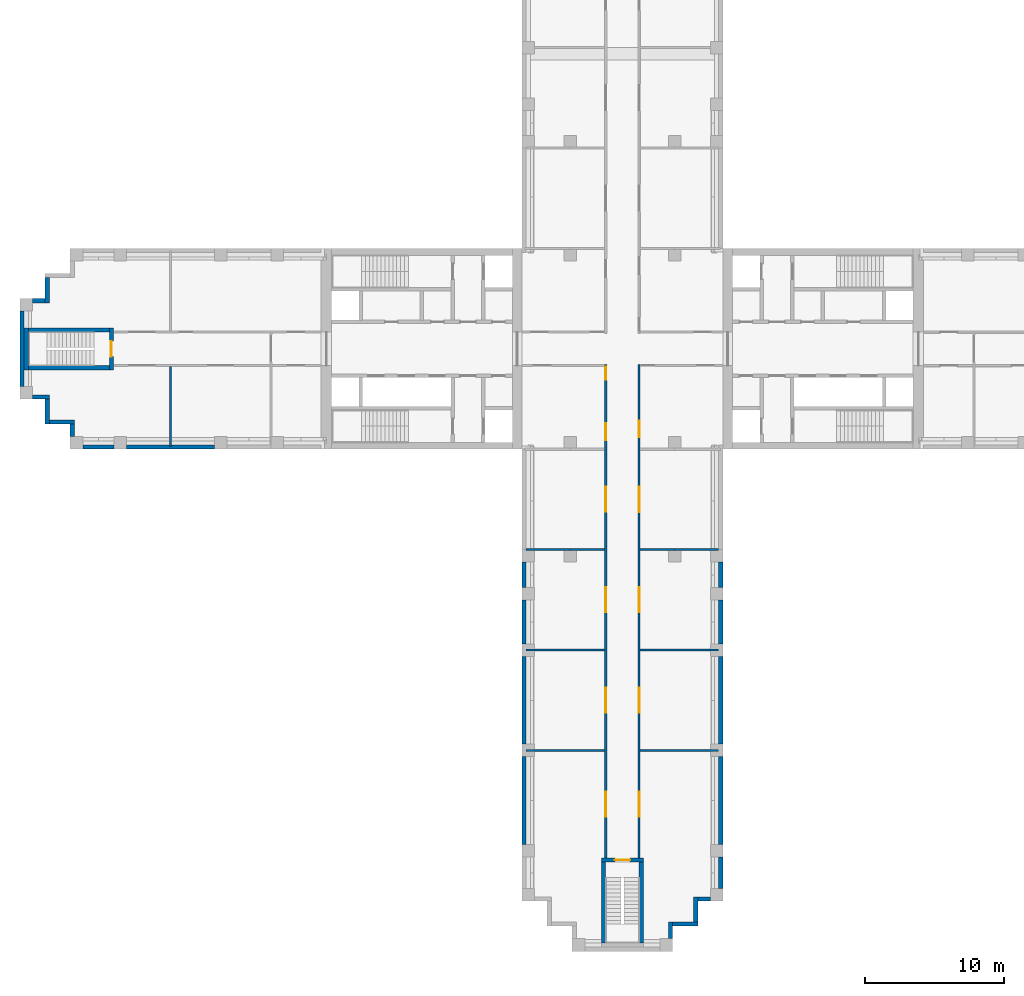
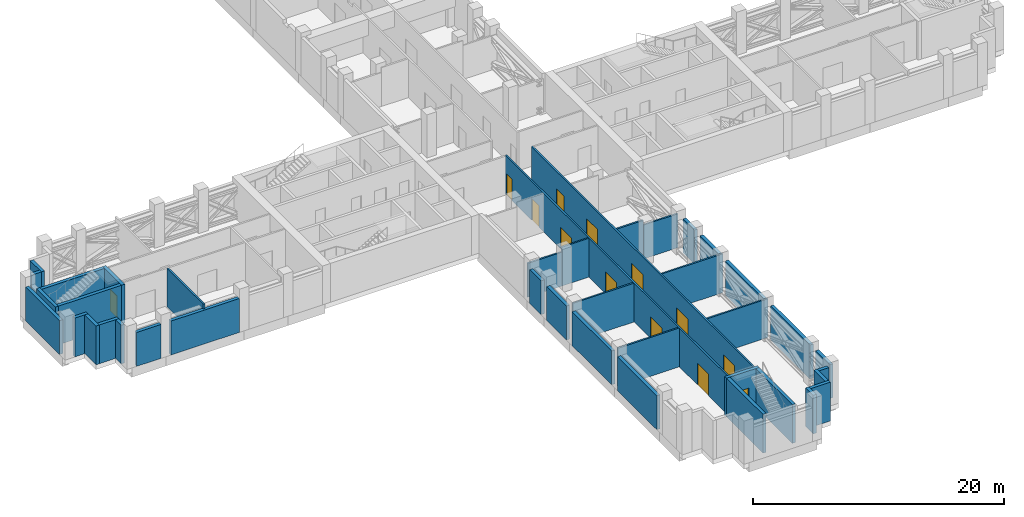
# One storey, part 4 of 10: 40 walls, 13 doors, 13 openings.
"""IFC4 building model written with IfcOpenShell, lengths in metres."""

from ifc_helpers import new_model, si_unit, direction, frame, frame_2d, origin, place, context, subcontext, project, spatial, rectangle, extrude, material, layer, layer_set, type_object, element, fill, save


model = new_model("IFC4")

# Units and contexts
model_context = context("Model", 3, precision=1e-05, world=origin(), true_north=direction((0.0, 1.0)))
body_context = subcontext(model_context, "Body", "Model", "MODEL_VIEW")
ifc_project = project(units=[si_unit("LENGTHUNIT", "METRE"), si_unit("AREAUNIT", "SQUARE_METRE"), si_unit("VOLUMEUNIT", "CUBIC_METRE"), si_unit("PLANEANGLEUNIT", "RADIAN"), si_unit("MASSUNIT", "GRAM", prefix="KILO")], contexts=[model_context])

# Site, building, storey
site_placement = place(None, origin())
site = spatial("IfcSite", under=ifc_project, at=site_placement, CompositionType="ELEMENT")
building_placement = place(site_placement, origin())
building = spatial("IfcBuilding", under=site, at=building_placement, Name="Fustian Cross Tower", CompositionType="ELEMENT")
storey_placement = place(building_placement, frame((0.0, 0.0, 62.699951171875)))
storey = spatial("IfcBuildingStorey", under=building, at=storey_placement, Name="L19", CompositionType="ELEMENT", Elevation=62.699951171875)

# Walls
ifc_material_1 = material(Name="Plasterboard on steel stud", Category="steel")
ifc_layer_1 = layer(ifc_material_1, 0.14990234375)
ifc_layer_set_1 = layer_set([ifc_layer_1], Name="Plasterboard on steel stud")
wall_type_1 = type_object("IfcWallType", Name="COMPARTMENT WALL 150 EI 60", PredefinedType="PARTITIONING", material=ifc_layer_set_1)
wall_1_placement = place(storey_placement, frame((-32.39990234375, -7.02001953125, 0.0), z_axis=(0.0, 0.0, 1.0), x_axis=(0.0, 1.0, 0.0)))
element("IfcWall", 1, at=wall_1_placement, inside=storey, type_object=wall_type_1, Name="Partition 3", PredefinedType="PARTITIONING", context=body_context, shape_type="SweptSolid", body=[
    extrude(rectangle(XDim=5.7451171875, YDim=0.14990234375, at=frame_2d((2.87255859375, 0.0))), origin(), (0.0, 0.0, 1.0), 3.775146484375),
])
for number, where, z_axis, x_axis, name in (
    (2, (-6.89990234375, -28.800048828125, 0.0), (0.0, 0.0, 1.0), (1.0, 0.0, 0.0), "Partition 8"),
    (3, (-6.89990234375, -21.60009765625, 0.0), (0.0, 0.0, 1.0), (1.0, 0.0, 0.0), "Partition 9"),
):
    element("IfcWall", number, at=place(storey_placement, frame(where, z_axis=z_axis, x_axis=x_axis)), inside=storey, type_object=wall_type_1, Name=name, PredefinedType="PARTITIONING", context=body_context, shape_type="SweptSolid", body=[
        extrude(rectangle(XDim=5.625, YDim=0.14990234375, at=frame_2d((2.8125, 0.0))), origin(), (0.0, 0.0, 1.0), 3.775146484375),
    ])
wall_2_placement = place(storey_placement, frame((-6.89990234375, -14.39990234375, 0.0), z_axis=(0.0, 0.0, 1.0), x_axis=(1.0, 0.0, 0.0)))
element("IfcWall", 4, at=wall_2_placement, inside=storey, type_object=wall_type_1, Name="Partition 10", PredefinedType="PARTITIONING", context=body_context, shape_type="SweptSolid", body=[
    extrude(rectangle(XDim=3.14990234375, YDim=0.14990234375, at=frame_2d((1.574951171875, 0.0))), origin(), (0.0, 0.0, 1.0), 3.300048828125),
])

# Wall, openings, doors
wall_3_placement = place(storey_placement, frame((-1.199951171875, -36.5, 0.0), z_axis=(0.0, 0.0, 1.0), x_axis=(0.0, 1.0, 0.0)))
wall_3 = element("IfcWall", 5, at=wall_3_placement, inside=storey, type_object=wall_type_1, Name="Partition 16", PredefinedType="PARTITIONING", context=body_context, shape_type="SweptSolid", body=[
    extrude(rectangle(XDim=35.375, YDim=0.14990234375, at=frame_2d((17.6875, 0.0))), origin(), (0.0, 0.0, 1.0), 3.775146484375),
])
opening_1_placement = place(wall_3_placement, frame((29.949951171875, 0.0, 0.0)))
opening_1 = element("IfcOpeningElement", 6, at=opening_1_placement, cuts=wall_3, Name="Opening D10008", PredefinedType="OPENING", context=body_context, shape_type="SweptSolid", body=[
    extrude(rectangle(XDim=1.199951171875, YDim=2.10009765625, at=frame_2d((0.60009765625, 1.050048828125))), frame((0.0, 0.0849609375, 0.0), z_axis=(0.0, -1.0, 0.0), x_axis=(1.0, 0.0, 0.0)), (0.0, 0.0, 1.0), 0.169921875),
])
opening_2_placement = place(wall_3_placement, frame((34.300048828125, 0.0, 0.0)))
opening_2 = element("IfcOpeningElement", 7, at=opening_2_placement, cuts=wall_3, Name="Opening D10009", PredefinedType="OPENING", context=body_context, shape_type="SweptSolid", body=[
    extrude(rectangle(XDim=0.89990234375, YDim=2.10009765625, at=frame_2d((0.449951171875, 1.050048828125))), frame((0.0, 0.0849609375, 0.0), z_axis=(0.0, -1.0, 0.0), x_axis=(1.0, 0.0, 0.0)), (0.0, 0.0, 1.0), 0.169921875),
])
opening_3_placement = place(wall_3_placement, frame((24.800048828125, 0.0, 0.0)))
opening_3 = element("IfcOpeningElement", 8, at=opening_3_placement, cuts=wall_3, Name="Opening D10025", PredefinedType="OPENING", context=body_context, shape_type="SweptSolid", body=[
    extrude(rectangle(XDim=1.800048828125, YDim=2.10009765625, at=frame_2d((0.89990234375, 1.050048828125))), frame((0.0, 0.0849609375, 0.0), z_axis=(0.0, -1.0, 0.0), x_axis=(1.0, 0.0, 0.0)), (0.0, 0.0, 1.0), 0.169921875),
])
opening_4_placement = place(wall_3_placement, frame((17.60009765625, 0.0, 0.0)))
opening_4 = element("IfcOpeningElement", 9, at=opening_4_placement, cuts=wall_3, Name="Opening D10026", PredefinedType="OPENING", context=body_context, shape_type="SweptSolid", body=[
    extrude(rectangle(XDim=1.800048828125, YDim=2.10009765625, at=frame_2d((0.89990234375, 1.050048828125))), frame((0.0, 0.0849609375, 0.0), z_axis=(0.0, -1.0, 0.0), x_axis=(1.0, 0.0, 0.0)), (0.0, 0.0, 1.0), 0.169921875),
])
opening_5_placement = place(wall_3_placement, frame((10.39990234375, 0.0, 0.0)))
opening_5 = element("IfcOpeningElement", 10, at=opening_5_placement, cuts=wall_3, Name="Opening D10027", PredefinedType="OPENING", context=body_context, shape_type="SweptSolid", body=[
    extrude(rectangle(XDim=1.800048828125, YDim=2.10009765625, at=frame_2d((0.89990234375, 1.050048828125))), frame((0.0, 0.0849609375, 0.0), z_axis=(0.0, -1.0, 0.0), x_axis=(1.0, 0.0, 0.0)), (0.0, 0.0, 1.0), 0.169921875),
])
opening_6_placement = place(wall_3_placement, frame((2.949951171875, 0.0, 0.0)))
opening_6 = element("IfcOpeningElement", 11, at=opening_6_placement, cuts=wall_3, Name="Opening D10028", PredefinedType="OPENING", context=body_context, shape_type="SweptSolid", body=[
    extrude(rectangle(XDim=1.800048828125, YDim=2.10009765625, at=frame_2d((0.89990234375, 1.050048828125))), frame((0.0, 0.0849609375, 0.0), z_axis=(0.0, -1.0, 0.0), x_axis=(1.0, 0.0, 0.0)), (0.0, 0.0, 1.0), 0.169921875),
])
ifc_material_2 = material(Name="Timber fire door set", Category="wood")
door_type_1 = type_object("IfcDoorType", Name="FIRE DOUBLE DOOR 1800 FD60S", OperationType="DOUBLE_DOOR_DOUBLE_SWING", PredefinedType="DOOR", material=ifc_material_2)
door_1_placement = place(opening_3_placement, frame((1.800048828125, 0.0, 0.0), z_axis=(0.0, 0.0, 1.0), x_axis=(-1.0, 0.0, 0.0)))
door_1 = element("IfcDoor", 12, at=door_1_placement, inside=storey, type_object=door_type_1, Name="Door D10025", OperationType="DOUBLE_DOOR_DOUBLE_SWING", OverallHeight=2.10009765625, OverallWidth=1.800048828125, PredefinedType="DOOR", context=body_context, shape_type="SweptSolid", body=[
    extrude(rectangle(XDim=1.800048828125, YDim=2.10009765625, at=frame_2d((0.89990234375, 1.050048828125))), frame((0.0, 0.02490234375, 0.0), z_axis=(0.0, -1.0, 0.0), x_axis=(1.0, 0.0, 0.0)), (0.0, 0.0, 1.0), 0.050048828125),
])
fill(opening_3, door_1)
door_2_placement = place(opening_4_placement, frame((1.800048828125, 0.0, 0.0), z_axis=(0.0, 0.0, 1.0), x_axis=(-1.0, 0.0, 0.0)))
door_2 = element("IfcDoor", 13, at=door_2_placement, inside=storey, type_object=door_type_1, Name="Door D10026", OperationType="DOUBLE_DOOR_DOUBLE_SWING", OverallHeight=2.10009765625, OverallWidth=1.800048828125, PredefinedType="DOOR", context=body_context, shape_type="SweptSolid", body=[
    extrude(rectangle(XDim=1.800048828125, YDim=2.10009765625, at=frame_2d((0.89990234375, 1.050048828125))), frame((0.0, 0.02490234375, 0.0), z_axis=(0.0, -1.0, 0.0), x_axis=(1.0, 0.0, 0.0)), (0.0, 0.0, 1.0), 0.050048828125),
])
fill(opening_4, door_2)
door_3_placement = place(opening_5_placement, frame((1.800048828125, 0.0, 0.0), z_axis=(0.0, 0.0, 1.0), x_axis=(-1.0, 0.0, 0.0)))
door_3 = element("IfcDoor", 14, at=door_3_placement, inside=storey, type_object=door_type_1, Name="Door D10027", OperationType="DOUBLE_DOOR_DOUBLE_SWING", OverallHeight=2.10009765625, OverallWidth=1.800048828125, PredefinedType="DOOR", context=body_context, shape_type="SweptSolid", body=[
    extrude(rectangle(XDim=1.800048828125, YDim=2.10009765625, at=frame_2d((0.89990234375, 1.050048828125))), frame((0.0, 0.02490234375, 0.0), z_axis=(0.0, -1.0, 0.0), x_axis=(1.0, 0.0, 0.0)), (0.0, 0.0, 1.0), 0.050048828125),
])
fill(opening_5, door_3)
door_4_placement = place(opening_6_placement, frame((1.800048828125, 0.0, 0.0), z_axis=(0.0, 0.0, 1.0), x_axis=(-1.0, 0.0, 0.0)))
door_4 = element("IfcDoor", 15, at=door_4_placement, inside=storey, type_object=door_type_1, Name="Door D10028", OperationType="DOUBLE_DOOR_DOUBLE_SWING", OverallHeight=2.10009765625, OverallWidth=1.800048828125, PredefinedType="DOOR", context=body_context, shape_type="SweptSolid", body=[
    extrude(rectangle(XDim=1.800048828125, YDim=2.10009765625, at=frame_2d((0.89990234375, 1.050048828125))), frame((0.0, 0.02490234375, 0.0), z_axis=(0.0, -1.0, 0.0), x_axis=(1.0, 0.0, 0.0)), (0.0, 0.0, 1.0), 0.050048828125),
])
fill(opening_6, door_4)
ifc_material_3 = material(Name="Timber fire door set", Category="wood")
door_type_2 = type_object("IfcDoorType", Name="FIRE SWING DOOR 1200 FD30S", OperationType="SINGLE_SWING_LEFT", PredefinedType="DOOR", material=ifc_material_3)
door_5_placement = place(opening_1_placement, origin())
door_5 = element("IfcDoor", 16, at=door_5_placement, inside=storey, type_object=door_type_2, Name="Door D10008", OperationType="SINGLE_SWING_LEFT", OverallHeight=2.10009765625, OverallWidth=1.199951171875, PredefinedType="DOOR", context=body_context, shape_type="SweptSolid", body=[
    extrude(rectangle(XDim=1.199951171875, YDim=2.10009765625, at=frame_2d((0.60009765625, 1.050048828125))), frame((0.0, 0.02490234375, 0.0), z_axis=(0.0, -1.0, 0.0), x_axis=(1.0, 0.0, 0.0)), (0.0, 0.0, 1.0), 0.050048828125),
])
fill(opening_1, door_5)
ifc_material_4 = material(Name="Timber fire door set", Category="wood")
door_type_3 = type_object("IfcDoorType", Name="FIRE SWING DOOR 900 FD30S", OperationType="SINGLE_SWING_LEFT", PredefinedType="DOOR", material=ifc_material_4)
door_6_placement = place(opening_2_placement, origin())
door_6 = element("IfcDoor", 17, at=door_6_placement, inside=storey, type_object=door_type_3, Name="Door D10009", OperationType="SINGLE_SWING_RIGHT", OverallHeight=2.10009765625, OverallWidth=0.89990234375, PredefinedType="DOOR", context=body_context, shape_type="SweptSolid", body=[
    extrude(rectangle(XDim=0.89990234375, YDim=2.10009765625, at=frame_2d((0.449951171875, 1.050048828125))), frame((0.0, 0.02490234375, 0.0), z_axis=(0.0, -1.0, 0.0), x_axis=(1.0, 0.0, 0.0)), (0.0, 0.0, 1.0), 0.050048828125),
])
fill(opening_2, door_6)

wall_4_placement = place(storey_placement, frame((1.199951171875, -36.5, 0.0), z_axis=(0.0, 0.0, 1.0), x_axis=(0.0, 1.0, 0.0)))
wall_4 = element("IfcWall", 18, at=wall_4_placement, inside=storey, type_object=wall_type_1, Name="Partition 18", PredefinedType="PARTITIONING", context=body_context, shape_type="SweptSolid", body=[
    extrude(rectangle(XDim=35.375, YDim=0.14990234375, at=frame_2d((17.6875, 0.0))), origin(), (0.0, 0.0, 1.0), 3.775146484375),
])
opening_7_placement = place(wall_4_placement, frame((30.14990234375, 0.0, 0.0)))
opening_7 = element("IfcOpeningElement", 19, at=opening_7_placement, cuts=wall_4, Name="Opening D10010", PredefinedType="OPENING", context=body_context, shape_type="SweptSolid", body=[
    extrude(rectangle(XDim=1.199951171875, YDim=2.10009765625, at=frame_2d((0.60009765625, 1.050048828125))), frame((0.0, 0.0849609375, 0.0), z_axis=(0.0, -1.0, 0.0), x_axis=(1.0, 0.0, 0.0)), (0.0, 0.0, 1.0), 0.169921875),
])
opening_8_placement = place(wall_4_placement, frame((24.800048828125, 0.0, 0.0)))
opening_8 = element("IfcOpeningElement", 20, at=opening_8_placement, cuts=wall_4, Name="Opening D10021", PredefinedType="OPENING", context=body_context, shape_type="SweptSolid", body=[
    extrude(rectangle(XDim=1.800048828125, YDim=2.10009765625, at=frame_2d((0.89990234375, 1.050048828125))), frame((0.0, 0.0849609375, 0.0), z_axis=(0.0, -1.0, 0.0), x_axis=(1.0, 0.0, 0.0)), (0.0, 0.0, 1.0), 0.169921875),
])
opening_9_placement = place(wall_4_placement, frame((17.60009765625, 0.0, 0.0)))
opening_9 = element("IfcOpeningElement", 21, at=opening_9_placement, cuts=wall_4, Name="Opening D10022", PredefinedType="OPENING", context=body_context, shape_type="SweptSolid", body=[
    extrude(rectangle(XDim=1.800048828125, YDim=2.10009765625, at=frame_2d((0.89990234375, 1.050048828125))), frame((0.0, 0.0849609375, 0.0), z_axis=(0.0, -1.0, 0.0), x_axis=(1.0, 0.0, 0.0)), (0.0, 0.0, 1.0), 0.169921875),
])
opening_10_placement = place(wall_4_placement, frame((10.39990234375, 0.0, 0.0)))
opening_10 = element("IfcOpeningElement", 22, at=opening_10_placement, cuts=wall_4, Name="Opening D10023", PredefinedType="OPENING", context=body_context, shape_type="SweptSolid", body=[
    extrude(rectangle(XDim=1.800048828125, YDim=2.10009765625, at=frame_2d((0.89990234375, 1.050048828125))), frame((0.0, 0.0849609375, 0.0), z_axis=(0.0, -1.0, 0.0), x_axis=(1.0, 0.0, 0.0)), (0.0, 0.0, 1.0), 0.169921875),
])
opening_11_placement = place(wall_4_placement, frame((2.949951171875, 0.0, 0.0)))
opening_11 = element("IfcOpeningElement", 23, at=opening_11_placement, cuts=wall_4, Name="Opening D10024", PredefinedType="OPENING", context=body_context, shape_type="SweptSolid", body=[
    extrude(rectangle(XDim=1.800048828125, YDim=2.10009765625, at=frame_2d((0.89990234375, 1.050048828125))), frame((0.0, 0.0849609375, 0.0), z_axis=(0.0, -1.0, 0.0), x_axis=(1.0, 0.0, 0.0)), (0.0, 0.0, 1.0), 0.169921875),
])
door_7_placement = place(opening_8_placement, origin())
door_7 = element("IfcDoor", 24, at=door_7_placement, inside=storey, type_object=door_type_1, Name="Door D10021", OperationType="DOUBLE_DOOR_DOUBLE_SWING", OverallHeight=2.10009765625, OverallWidth=1.800048828125, PredefinedType="DOOR", context=body_context, shape_type="SweptSolid", body=[
    extrude(rectangle(XDim=1.800048828125, YDim=2.10009765625, at=frame_2d((0.89990234375, 1.050048828125))), frame((0.0, 0.02490234375, 0.0), z_axis=(0.0, -1.0, 0.0), x_axis=(1.0, 0.0, 0.0)), (0.0, 0.0, 1.0), 0.050048828125),
])
fill(opening_8, door_7)
door_8_placement = place(opening_9_placement, origin())
door_8 = element("IfcDoor", 25, at=door_8_placement, inside=storey, type_object=door_type_1, Name="Door D10022", OperationType="DOUBLE_DOOR_DOUBLE_SWING", OverallHeight=2.10009765625, OverallWidth=1.800048828125, PredefinedType="DOOR", context=body_context, shape_type="SweptSolid", body=[
    extrude(rectangle(XDim=1.800048828125, YDim=2.10009765625, at=frame_2d((0.89990234375, 1.050048828125))), frame((0.0, 0.02490234375, 0.0), z_axis=(0.0, -1.0, 0.0), x_axis=(1.0, 0.0, 0.0)), (0.0, 0.0, 1.0), 0.050048828125),
])
fill(opening_9, door_8)
door_9_placement = place(opening_10_placement, origin())
door_9 = element("IfcDoor", 26, at=door_9_placement, inside=storey, type_object=door_type_1, Name="Door D10023", OperationType="DOUBLE_DOOR_DOUBLE_SWING", OverallHeight=2.10009765625, OverallWidth=1.800048828125, PredefinedType="DOOR", context=body_context, shape_type="SweptSolid", body=[
    extrude(rectangle(XDim=1.800048828125, YDim=2.10009765625, at=frame_2d((0.89990234375, 1.050048828125))), frame((0.0, 0.02490234375, 0.0), z_axis=(0.0, -1.0, 0.0), x_axis=(1.0, 0.0, 0.0)), (0.0, 0.0, 1.0), 0.050048828125),
])
fill(opening_10, door_9)
door_10_placement = place(opening_11_placement, origin())
door_10 = element("IfcDoor", 27, at=door_10_placement, inside=storey, type_object=door_type_1, Name="Door D10024", OperationType="DOUBLE_DOOR_DOUBLE_SWING", OverallHeight=2.10009765625, OverallWidth=1.800048828125, PredefinedType="DOOR", context=body_context, shape_type="SweptSolid", body=[
    extrude(rectangle(XDim=1.800048828125, YDim=2.10009765625, at=frame_2d((0.89990234375, 1.050048828125))), frame((0.0, 0.02490234375, 0.0), z_axis=(0.0, -1.0, 0.0), x_axis=(1.0, 0.0, 0.0)), (0.0, 0.0, 1.0), 0.050048828125),
])
fill(opening_11, door_10)
ifc_material_5 = material(Name="Timber fire door set", Category="wood")
door_type_4 = type_object("IfcDoorType", Name="FIRE SWING DOOR 1200 FD60S", OperationType="SINGLE_SWING_LEFT", PredefinedType="DOOR", material=ifc_material_5)
door_11_placement = place(opening_7_placement, origin())
door_11 = element("IfcDoor", 28, at=door_11_placement, inside=storey, type_object=door_type_4, Name="Door D10010", OperationType="SINGLE_SWING_LEFT", OverallHeight=2.10009765625, OverallWidth=1.199951171875, PredefinedType="DOOR", context=body_context, shape_type="SweptSolid", body=[
    extrude(rectangle(XDim=1.199951171875, YDim=2.10009765625, at=frame_2d((0.60009765625, 1.050048828125))), frame((0.0, 0.02490234375, 0.0), z_axis=(0.0, -1.0, 0.0), x_axis=(1.0, 0.0, 0.0)), (0.0, 0.0, 1.0), 0.050048828125),
])
fill(opening_7, door_11)

# Walls
for number, where, z_axis, x_axis, name in (
    (29, (1.27490234375, -28.800048828125, 0.0), (0.0, 0.0, 1.0), (1.0, 0.0, 0.0), "Partition 19"),
    (30, (1.27490234375, -21.60009765625, 0.0), (0.0, 0.0, 1.0), (1.0, 0.0, 0.0), "Partition 20"),
):
    element("IfcWall", number, at=place(storey_placement, frame(where, z_axis=z_axis, x_axis=x_axis)), inside=storey, type_object=wall_type_1, Name=name, PredefinedType="PARTITIONING", context=body_context, shape_type="SweptSolid", body=[
        extrude(rectangle(XDim=5.625, YDim=0.14990234375, at=frame_2d((2.8125, 0.0))), origin(), (0.0, 0.0, 1.0), 3.775146484375),
    ])
for number, where, z_axis, x_axis, name in (
    (31, (1.27490234375, -14.39990234375, 0.0), (0.0, 0.0, 1.0), (1.0, 0.0, 0.0), "Partition 21"),
    (32, (-3.75, -14.39990234375, 0.0), (0.0, 0.0, 1.0), (1.0, 0.0, 0.0), "Partition 10"),
):
    element("IfcWall", number, at=place(storey_placement, frame(where, z_axis=z_axis, x_axis=x_axis)), inside=storey, type_object=wall_type_1, Name=name, PredefinedType="PARTITIONING", context=body_context, shape_type="SweptSolid", body=[
        extrude(rectangle(XDim=2.47509765625, YDim=0.14990234375, at=frame_2d((1.237548828125, 0.0))), origin(), (0.0, 0.0, 1.0), 3.775146484375),
    ])
wall_5_placement = place(storey_placement, frame((3.75, -14.39990234375, 0.0), z_axis=(0.0, 0.0, 1.0), x_axis=(1.0, 0.0, 0.0)))
element("IfcWall", 33, at=wall_5_placement, inside=storey, type_object=wall_type_1, Name="Partition 21", PredefinedType="PARTITIONING", context=body_context, shape_type="SweptSolid", body=[
    extrude(rectangle(XDim=3.14990234375, YDim=0.14990234375, at=frame_2d((1.574951171875, 0.0))), origin(), (0.0, 0.0, 1.0), 3.300048828125),
])

# Wall, opening, door
ifc_material_6 = material(Name="Concrete C50/60", Category="concrete")
ifc_layer_2 = layer(ifc_material_6, 0.300048828125)
ifc_layer_set_2 = layer_set([ifc_layer_2], Name="Concrete C50/60")
wall_type_2 = type_object("IfcWallType", Name="STAIR ENCLOSURE WALL 300 C50/60", PredefinedType="SHEAR", material=ifc_layer_set_2)
wall_6_placement = place(storey_placement, frame((-1.5, -36.64990234375, 0.0), z_axis=(0.0, 0.0, 1.0), x_axis=(1.0, 0.0, 0.0)))
wall_6 = element("IfcWall", 34, at=wall_6_placement, inside=storey, type_object=wall_type_2, Name="Stair enclosure wall", PredefinedType="SHEAR", context=body_context, shape_type="SweptSolid", body=[
    extrude(rectangle(XDim=3.0, YDim=0.300048828125, at=frame_2d((1.5, 0.0))), origin(), (0.0, 0.0, 1.0), 3.775146484375),
])
opening_12_placement = place(wall_6_placement, frame((0.949951171875, 0.0, 0.0)))
opening_12 = element("IfcOpeningElement", 35, at=opening_12_placement, cuts=wall_6, Name="Opening CD-08-32", PredefinedType="OPENING", context=body_context, shape_type="SweptSolid", body=[
    extrude(rectangle(XDim=1.10009765625, YDim=2.10009765625, at=frame_2d((0.550048828125, 1.050048828125))), frame((0.0, 0.159912109375, 0.0), z_axis=(0.0, -1.0, 0.0), x_axis=(1.0, 0.0, 0.0)), (0.0, 0.0, 1.0), 0.320068359375),
])
ifc_material_7 = material(Name="Steel", Category="steel")
door_type_5 = type_object("IfcDoorType", Name="FIRE DOOR FD60S 1100X2100", OperationType="SINGLE_SWING_LEFT", PredefinedType="DOOR", material=ifc_material_7)
door_12_placement = place(opening_12_placement, frame((1.10009765625, 0.0, 0.0), z_axis=(0.0, 0.0, 1.0), x_axis=(-1.0, 0.0, 0.0)))
door_12 = element("IfcDoor", 36, at=door_12_placement, inside=storey, type_object=door_type_5, Name="Core door CD-08-32", OperationType="SINGLE_SWING_RIGHT", OverallHeight=2.10009765625, OverallWidth=1.10009765625, PredefinedType="DOOR", context=body_context, shape_type="SweptSolid", body=[
    extrude(rectangle(XDim=1.10009765625, YDim=2.10009765625, at=frame_2d((0.550048828125, 1.050048828125))), frame((0.0, 0.02490234375, 0.0), z_axis=(0.0, -1.0, 0.0), x_axis=(1.0, 0.0, 0.0)), (0.0, 0.0, 1.0), 0.050048828125),
])
fill(opening_12, door_12)

# Walls
for number, where, z_axis, x_axis, name in (
    (37, (-1.35009765625, -36.800048828125, 0.0), (0.0, 0.0, 1.0), (0.0, -1.0, 0.0), "Stair enclosure wall"),
    (38, (1.35009765625, -36.800048828125, 0.0), (0.0, 0.0, 1.0), (0.0, -1.0, 0.0), "Stair enclosure wall"),
):
    element("IfcWall", number, at=place(storey_placement, frame(where, z_axis=z_axis, x_axis=x_axis)), inside=storey, type_object=wall_type_2, Name=name, PredefinedType="SHEAR", context=body_context, shape_type="SweptSolid", body=[
        extrude(rectangle(XDim=5.800048828125, YDim=0.300048828125, at=frame_2d((2.89990234375, 0.0))), origin(), (0.0, 0.0, 1.0), 3.775146484375),
    ])

# Wall, opening, door
wall_7_placement = place(storey_placement, frame((-36.64990234375, -1.5, 0.0), z_axis=(0.0, 0.0, 1.0), x_axis=(0.0, 1.0, 0.0)))
wall_7 = element("IfcWall", 39, at=wall_7_placement, inside=storey, type_object=wall_type_2, Name="Stair enclosure wall", PredefinedType="SHEAR", context=body_context, shape_type="SweptSolid", body=[
    extrude(rectangle(XDim=3.0, YDim=0.300048828125, at=frame_2d((1.5, 0.0))), origin(), (0.0, 0.0, 1.0), 3.775146484375),
])
opening_13_placement = place(wall_7_placement, frame((0.949951171875, 0.0, 0.0)))
opening_13 = element("IfcOpeningElement", 40, at=opening_13_placement, cuts=wall_7, Name="Opening CD-08-34", PredefinedType="OPENING", context=body_context, shape_type="SweptSolid", body=[
    extrude(rectangle(XDim=1.10009765625, YDim=2.10009765625, at=frame_2d((0.550048828125, 1.050048828125))), frame((0.0, 0.159912109375, 0.0), z_axis=(0.0, -1.0, 0.0), x_axis=(1.0, 0.0, 0.0)), (0.0, 0.0, 1.0), 0.320068359375),
])
door_13_placement = place(opening_13_placement, origin())
door_13 = element("IfcDoor", 41, at=door_13_placement, inside=storey, type_object=door_type_5, Name="Core door CD-08-34", OperationType="SINGLE_SWING_LEFT", OverallHeight=2.10009765625, OverallWidth=1.10009765625, PredefinedType="DOOR", context=body_context, shape_type="SweptSolid", body=[
    extrude(rectangle(XDim=1.10009765625, YDim=2.10009765625, at=frame_2d((0.550048828125, 1.050048828125))), frame((0.0, 0.02490234375, 0.0), z_axis=(0.0, -1.0, 0.0), x_axis=(1.0, 0.0, 0.0)), (0.0, 0.0, 1.0), 0.050048828125),
])
fill(opening_13, door_13)

# Walls
wall_8_placement = place(storey_placement, frame((-42.75, -1.5, 0.0), z_axis=(0.0, 0.0, 1.0), x_axis=(0.0, 1.0, 0.0)))
element("IfcWall", 42, at=wall_8_placement, inside=storey, type_object=wall_type_2, Name="Stair enclosure wall", PredefinedType="SHEAR", context=body_context, shape_type="SweptSolid", body=[
    extrude(rectangle(XDim=3.0, YDim=0.300048828125, at=frame_2d((1.5, 0.0))), origin(), (0.0, 0.0, 1.0), 3.775146484375),
])
for number, where, z_axis, x_axis, name in (
    (43, (-36.800048828125, -1.35009765625, 0.0), (0.0, 0.0, 1.0), (-1.0, 0.0, 0.0), "Stair enclosure wall"),
    (44, (-36.800048828125, 1.35009765625, 0.0), (0.0, 0.0, 1.0), (-1.0, 0.0, 0.0), "Stair enclosure wall"),
):
    element("IfcWall", number, at=place(storey_placement, frame(where, z_axis=z_axis, x_axis=x_axis)), inside=storey, type_object=wall_type_2, Name=name, PredefinedType="SHEAR", context=body_context, shape_type="SweptSolid", body=[
        extrude(rectangle(XDim=5.800048828125, YDim=0.300048828125, at=frame_2d((2.89990234375, 0.0))), origin(), (0.0, 0.0, 1.0), 3.775146484375),
    ])
ifc_material_8 = material(Name="Dark aluminium louvres on insulated backing wall", Category="aluminium")
ifc_layer_3 = layer(ifc_material_8, 0.300048828125)
ifc_layer_set_3 = layer_set([ifc_layer_3], Name="Dark aluminium louvres on insulated backing wall")
wall_type_3 = type_object("IfcWallType", Name="XW2 LOUVRED PLANT WALL 300", PredefinedType="SOLIDWALL", material=ifc_layer_set_3)
wall_9_placement = place(storey_placement, frame((-41.25, 5.10009765625, 0.0), z_axis=(0.0, 0.0, 1.0), x_axis=(0.0, -1.0, 0.0)))
element("IfcWall", 45, at=wall_9_placement, inside=storey, type_object=wall_type_3, Name="Plant louvre wall", PredefinedType="SOLIDWALL", context=body_context, shape_type="SweptSolid", body=[
    extrude(rectangle(XDim=1.800048828125, YDim=0.300048828125, at=frame_2d((0.89990234375, 0.0))), origin(), (0.0, 0.0, 1.0), 3.775146484375),
])
wall_10_placement = place(storey_placement, frame((-41.39990234375, 3.449951171875, 0.0), z_axis=(0.0, 0.0, 1.0), x_axis=(-1.0, 0.0, 0.0)))
element("IfcWall", 46, at=wall_10_placement, inside=storey, type_object=wall_type_3, Name="Plant louvre wall", PredefinedType="SOLIDWALL", context=body_context, shape_type="SweptSolid", body=[
    extrude(rectangle(XDim=0.900146484375, YDim=0.300048828125, at=frame_2d((0.4501953125, 0.0))), origin(), (0.0, 0.0, 1.0), 3.775146484375),
])
wall_11_placement = place(storey_placement, frame((-43.050048828125, 2.699951171875, 0.0), z_axis=(0.0, 0.0, 1.0), x_axis=(0.0, -1.0, 0.0)))
element("IfcWall", 47, at=wall_11_placement, inside=storey, type_object=wall_type_3, Name="Plant louvre wall", PredefinedType="SOLIDWALL", context=body_context, shape_type="SweptSolid", body=[
    extrude(rectangle(XDim=5.39990234375, YDim=0.300048828125, at=frame_2d((2.699951171875, 0.0))), origin(), (0.0, 0.0, 1.0), 3.300048828125),
])
wall_12_placement = place(storey_placement, frame((-42.300048828125, -3.449951171875, 0.0), z_axis=(0.0, 0.0, 1.0), x_axis=(1.0, 0.0, 0.0)))
element("IfcWall", 48, at=wall_12_placement, inside=storey, type_object=wall_type_3, Name="Plant louvre wall", PredefinedType="SOLIDWALL", context=body_context, shape_type="SweptSolid", body=[
    extrude(rectangle(XDim=1.199951171875, YDim=0.300048828125, at=frame_2d((0.60009765625, 0.0))), origin(), (0.0, 0.0, 1.0), 3.775146484375),
])
wall_13_placement = place(storey_placement, frame((-41.25, -3.60009765625, 0.0), z_axis=(0.0, 0.0, 1.0), x_axis=(0.0, -1.0, 0.0)))
element("IfcWall", 49, at=wall_13_placement, inside=storey, type_object=wall_type_3, Name="Plant louvre wall", PredefinedType="SOLIDWALL", context=body_context, shape_type="SweptSolid", body=[
    extrude(rectangle(XDim=1.7998046875, YDim=0.300048828125, at=frame_2d((0.89990234375, 0.0))), origin(), (0.0, 0.0, 1.0), 3.775146484375),
])
wall_14_placement = place(storey_placement, frame((-41.10009765625, -5.25, 0.0), z_axis=(0.0, 0.0, 1.0), x_axis=(1.0, 0.0, 0.0)))
element("IfcWall", 50, at=wall_14_placement, inside=storey, type_object=wall_type_3, Name="Plant louvre wall", PredefinedType="SOLIDWALL", context=body_context, shape_type="SweptSolid", body=[
    extrude(rectangle(XDim=1.800048828125, YDim=0.300048828125, at=frame_2d((0.89990234375, 0.0))), origin(), (0.0, 0.0, 1.0), 3.775146484375),
])
wall_15_placement = place(storey_placement, frame((-39.449951171875, -5.39990234375, 0.0), z_axis=(0.0, 0.0, 1.0), x_axis=(0.0, -1.0, 0.0)))
element("IfcWall", 51, at=wall_15_placement, inside=storey, type_object=wall_type_3, Name="Plant louvre wall", PredefinedType="SOLIDWALL", context=body_context, shape_type="SweptSolid", body=[
    extrude(rectangle(XDim=0.900146484375, YDim=0.300048828125, at=frame_2d((0.4501953125, 0.0))), origin(), (0.0, 0.0, 1.0), 3.775146484375),
])
wall_16_placement = place(storey_placement, frame((-38.699951171875, -7.050048828125, 0.0), z_axis=(0.0, 0.0, 1.0), x_axis=(1.0, 0.0, 0.0)))
element("IfcWall", 52, at=wall_16_placement, inside=storey, type_object=wall_type_3, Name="Plant louvre wall", PredefinedType="SOLIDWALL", context=body_context, shape_type="SweptSolid", body=[
    extrude(rectangle(XDim=2.25, YDim=0.300048828125, at=frame_2d((1.125, 0.0))), origin(), (0.0, 0.0, 1.0), 3.300048828125),
])
wall_17_placement = place(storey_placement, frame((-35.550048828125, -7.050048828125, 0.0), z_axis=(0.0, 0.0, 1.0), x_axis=(1.0, 0.0, 0.0)))
element("IfcWall", 53, at=wall_17_placement, inside=storey, type_object=wall_type_3, Name="Plant louvre wall", PredefinedType="SOLIDWALL", context=body_context, shape_type="SweptSolid", body=[
    extrude(rectangle(XDim=6.300048828125, YDim=0.300048828125, at=frame_2d((3.14990234375, 0.0))), origin(), (0.0, 0.0, 1.0), 3.300048828125),
])
wall_18_placement = place(storey_placement, frame((-7.050048828125, -15.300048828125, 0.0), z_axis=(0.0, 0.0, 1.0), x_axis=(0.0, -1.0, 0.0)))
element("IfcWall", 54, at=wall_18_placement, inside=storey, type_object=wall_type_3, Name="Plant louvre wall", PredefinedType="SOLIDWALL", context=body_context, shape_type="SweptSolid", body=[
    extrude(rectangle(XDim=1.800048828125, YDim=0.300048828125, at=frame_2d((0.89990234375, 0.0))), origin(), (0.0, 0.0, 1.0), 3.300048828125),
])
wall_19_placement = place(storey_placement, frame((-7.050048828125, -18.0, 0.0), z_axis=(0.0, 0.0, 1.0), x_axis=(0.0, -1.0, 0.0)))
element("IfcWall", 55, at=wall_19_placement, inside=storey, type_object=wall_type_3, Name="Plant louvre wall", PredefinedType="SOLIDWALL", context=body_context, shape_type="SweptSolid", body=[
    extrude(rectangle(XDim=3.14990234375, YDim=0.300048828125, at=frame_2d((1.574951171875, 0.0))), origin(), (0.0, 0.0, 1.0), 3.300048828125),
])
for number, where, z_axis, x_axis, name in (
    (56, (-7.050048828125, -22.050048828125, 0.0), (0.0, 0.0, 1.0), (0.0, -1.0, 0.0), "Plant louvre wall"),
    (57, (-7.050048828125, -29.25, 0.0), (0.0, 0.0, 1.0), (0.0, -1.0, 0.0), "Plant louvre wall"),
):
    element("IfcWall", number, at=place(storey_placement, frame(where, z_axis=z_axis, x_axis=x_axis)), inside=storey, type_object=wall_type_3, Name=name, PredefinedType="SOLIDWALL", context=body_context, shape_type="SweptSolid", body=[
        extrude(rectangle(XDim=6.300048828125, YDim=0.300048828125, at=frame_2d((3.14990234375, 0.0))), origin(), (0.0, 0.0, 1.0), 3.300048828125),
    ])
wall_20_placement = place(storey_placement, frame((3.449951171875, -42.300048828125, 0.0), z_axis=(0.0, 0.0, 1.0), x_axis=(0.0, 1.0, 0.0)))
element("IfcWall", 58, at=wall_20_placement, inside=storey, type_object=wall_type_3, Name="Plant louvre wall", PredefinedType="SOLIDWALL", context=body_context, shape_type="SweptSolid", body=[
    extrude(rectangle(XDim=1.199951171875, YDim=0.300048828125, at=frame_2d((0.60009765625, 0.0))), origin(), (0.0, 0.0, 1.0), 3.775146484375),
])
wall_21_placement = place(storey_placement, frame((3.60009765625, -41.25, 0.0), z_axis=(0.0, 0.0, 1.0), x_axis=(1.0, 0.0, 0.0)))
element("IfcWall", 59, at=wall_21_placement, inside=storey, type_object=wall_type_3, Name="Plant louvre wall", PredefinedType="SOLIDWALL", context=body_context, shape_type="SweptSolid", body=[
    extrude(rectangle(XDim=1.7998046875, YDim=0.300048828125, at=frame_2d((0.89990234375, 0.0))), origin(), (0.0, 0.0, 1.0), 3.775146484375),
])
wall_22_placement = place(storey_placement, frame((5.25, -41.10009765625, 0.0), z_axis=(0.0, 0.0, 1.0), x_axis=(0.0, 1.0, 0.0)))
element("IfcWall", 60, at=wall_22_placement, inside=storey, type_object=wall_type_3, Name="Plant louvre wall", PredefinedType="SOLIDWALL", context=body_context, shape_type="SweptSolid", body=[
    extrude(rectangle(XDim=1.800048828125, YDim=0.300048828125, at=frame_2d((0.89990234375, 0.0))), origin(), (0.0, 0.0, 1.0), 3.775146484375),
])
wall_23_placement = place(storey_placement, frame((5.39990234375, -39.449951171875, 0.0), z_axis=(0.0, 0.0, 1.0), x_axis=(1.0, 0.0, 0.0)))
element("IfcWall", 61, at=wall_23_placement, inside=storey, type_object=wall_type_3, Name="Plant louvre wall", PredefinedType="SOLIDWALL", context=body_context, shape_type="SweptSolid", body=[
    extrude(rectangle(XDim=0.900146484375, YDim=0.300048828125, at=frame_2d((0.4501953125, 0.0))), origin(), (0.0, 0.0, 1.0), 3.775146484375),
])
wall_24_placement = place(storey_placement, frame((7.050048828125, -38.699951171875, 0.0), z_axis=(0.0, 0.0, 1.0), x_axis=(0.0, 1.0, 0.0)))
element("IfcWall", 62, at=wall_24_placement, inside=storey, type_object=wall_type_3, Name="Plant louvre wall", PredefinedType="SOLIDWALL", context=body_context, shape_type="SweptSolid", body=[
    extrude(rectangle(XDim=2.25, YDim=0.300048828125, at=frame_2d((1.125, 0.0))), origin(), (0.0, 0.0, 1.0), 3.300048828125),
])
for number, where, z_axis, x_axis, name in (
    (63, (7.050048828125, -35.550048828125, 0.0), (0.0, 0.0, 1.0), (0.0, 1.0, 0.0), "Plant louvre wall"),
    (64, (7.050048828125, -28.35009765625, 0.0), (0.0, 0.0, 1.0), (0.0, 1.0, 0.0), "Plant louvre wall"),
):
    element("IfcWall", number, at=place(storey_placement, frame(where, z_axis=z_axis, x_axis=x_axis)), inside=storey, type_object=wall_type_3, Name=name, PredefinedType="SOLIDWALL", context=body_context, shape_type="SweptSolid", body=[
        extrude(rectangle(XDim=6.300048828125, YDim=0.300048828125, at=frame_2d((3.14990234375, 0.0))), origin(), (0.0, 0.0, 1.0), 3.300048828125),
    ])
wall_25_placement = place(storey_placement, frame((7.050048828125, -21.14990234375, 0.0), z_axis=(0.0, 0.0, 1.0), x_axis=(0.0, 1.0, 0.0)))
element("IfcWall", 65, at=wall_25_placement, inside=storey, type_object=wall_type_3, Name="Plant louvre wall", PredefinedType="SOLIDWALL", context=body_context, shape_type="SweptSolid", body=[
    extrude(rectangle(XDim=3.14990234375, YDim=0.300048828125, at=frame_2d((1.574951171875, 0.0))), origin(), (0.0, 0.0, 1.0), 3.300048828125),
])
wall_26_placement = place(storey_placement, frame((7.050048828125, -17.10009765625, 0.0), z_axis=(0.0, 0.0, 1.0), x_axis=(0.0, 1.0, 0.0)))
element("IfcWall", 66, at=wall_26_placement, inside=storey, type_object=wall_type_3, Name="Plant louvre wall", PredefinedType="SOLIDWALL", context=body_context, shape_type="SweptSolid", body=[
    extrude(rectangle(XDim=1.800048828125, YDim=0.300048828125, at=frame_2d((0.89990234375, 0.0))), origin(), (0.0, 0.0, 1.0), 3.300048828125),
])

save(model, "model.ifc")
